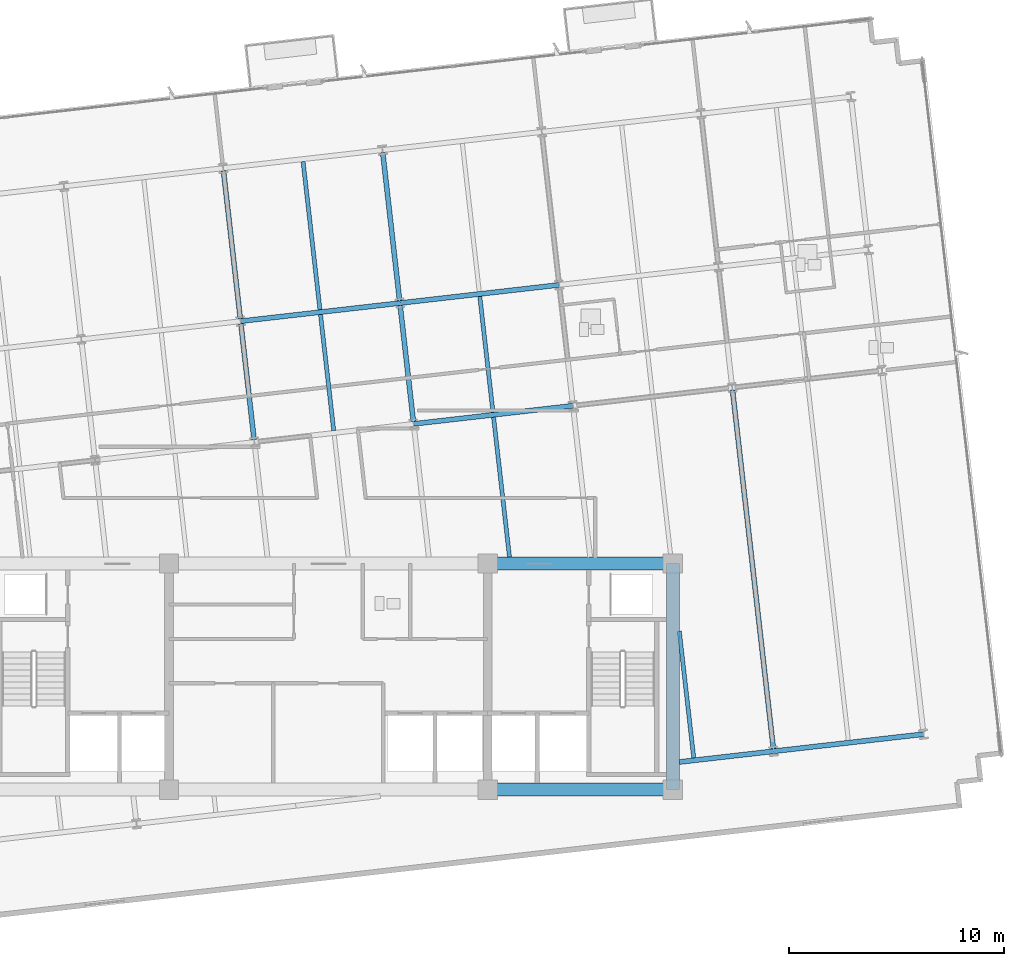
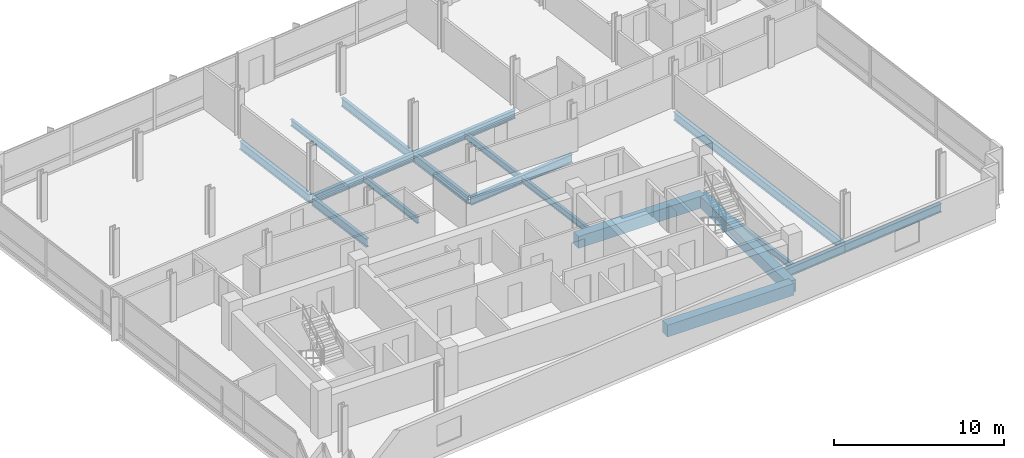
# One storey, part 3 of 14: 18 beams.
"""IFC4 building model written with IfcOpenShell, lengths in metres."""

from ifc_helpers import new_model, si_unit, direction, frame, origin, origin_2d, place, context, subcontext, project, spatial, rectangle, i_section, extrude, material, material_profile, profile_set, type_object, element, save


model = new_model("IFC4")

# Units and contexts
model_context = context("Model", 3, precision=1e-05, world=origin(), true_north=direction((0.0, 1.0)))
body_context = subcontext(model_context, "Body", "Model", "MODEL_VIEW")
ifc_project = project(units=[si_unit("LENGTHUNIT", "METRE"), si_unit("AREAUNIT", "SQUARE_METRE"), si_unit("VOLUMEUNIT", "CUBIC_METRE"), si_unit("PLANEANGLEUNIT", "RADIAN"), si_unit("MASSUNIT", "GRAM", prefix="KILO")], contexts=[model_context])

# Site, building, storey
site_placement = place(None, origin())
site = spatial("IfcSite", under=ifc_project, at=site_placement, CompositionType="ELEMENT")
building_placement = place(site_placement, origin())
building = spatial("IfcBuilding", under=site, at=building_placement, Name="Solmavex Isthmus Hotel", CompositionType="ELEMENT")
storey_placement = place(building_placement, frame((0.0, 0.0, 236.550048828125)))
storey = spatial("IfcBuildingStorey", under=building, at=storey_placement, Name="L64", CompositionType="ELEMENT", Elevation=236.550048828125)

# Beams
ifc_material_1 = material(Name="Steel ASTM A992 Grade 50", Category="steel")
ifc_material_profile_1 = material_profile(ifc_material_1, i_section(OverallWidth=0.1904296875, OverallDepth=0.456787109375, WebThickness=0.009033203125, FlangeThickness=0.014404296875, FilletRadius=0.0126953125, at=origin_2d()), Name="W18X50")
ifc_profile_set_1 = profile_set([ifc_material_profile_1], Name="Steel ASTM A992 Grade 50")
beam_type_1 = type_object("IfcBeamType", Name="BM-BJ-W18X50", PredefinedType="JOIST", material=ifc_profile_set_1)
beam_1_placement = place(storey_placement, frame((0.250244140625, 3.67822265625, -0.488525390625), z_axis=(-0.113194691868, 0.993572826587, 0.0), x_axis=(-0.993572826587, -0.113194691868, 0.0)))
element("IfcBeam", 1, at=beam_1_placement, inside=storey, type_object=beam_type_1, Name="Secondary Floor Joist L64-J10", PredefinedType="JOIST", context=body_context, shape_type="SweptSolid", body=[
    extrude(i_section(OverallWidth=0.1904296875, OverallDepth=0.456787109375, WebThickness=0.009033203125, FlangeThickness=0.014404296875, FilletRadius=0.0126953125, at=origin_2d()), origin(), (0.0, 0.0, 1.0), 5.420166015625),
])
beam_2_placement = place(storey_placement, frame((-0.38916015625, 9.289794921875, -0.488525390625), z_axis=(-0.113202453846, 0.993571942258, 0.0), x_axis=(-0.993571942258, -0.113202453846, 0.0)))
element("IfcBeam", 2, at=beam_2_placement, inside=storey, type_object=beam_type_1, Name="Secondary Floor Joist L64-J11", PredefinedType="JOIST", context=body_context, shape_type="SweptSolid", body=[
    extrude(i_section(OverallWidth=0.1904296875, OverallDepth=0.456787109375, WebThickness=0.009033203125, FlangeThickness=0.014404296875, FilletRadius=0.0126953125, at=origin_2d()), origin(), (0.0, 0.0, 1.0), 6.9228515625),
])
beam_3_placement = place(storey_placement, frame((8.414306640625, -2.199951171875, -0.488525390625), z_axis=(-0.113206345873, 0.993571498813, 0.0), x_axis=(-0.993571498813, -0.113206345873, 0.0)))
element("IfcBeam", 3, at=beam_3_placement, inside=storey, type_object=beam_type_1, Name="Secondary Floor Joist L64-J12", PredefinedType="JOIST", context=body_context, shape_type="SweptSolid", body=[
    extrude(i_section(OverallWidth=0.1904296875, OverallDepth=0.456787109375, WebThickness=0.009033203125, FlangeThickness=0.014404296875, FilletRadius=0.0126953125, at=origin_2d()), origin(), (0.0, 0.0, 1.0), 6.53662109375),
])
beam_4_placement = place(storey_placement, frame((7.6484375, 4.521240234375, -0.488525390625), z_axis=(-0.113194691868, 0.993572826587, 0.0), x_axis=(-0.993572826587, -0.113194691868, 0.0)))
element("IfcBeam", 4, at=beam_4_placement, inside=storey, type_object=beam_type_1, Name="Secondary Floor Joist L64-J13", PredefinedType="JOIST", context=body_context, shape_type="SweptSolid", body=[
    extrude(i_section(OverallWidth=0.1904296875, OverallDepth=0.456787109375, WebThickness=0.009033203125, FlangeThickness=0.014404296875, FilletRadius=0.0126953125, at=origin_2d()), origin(), (0.0, 0.0, 1.0), 5.420166015625),
])
beam_5_placement = place(storey_placement, frame((16.970947265625, -11.525390625, -0.488525390625), z_axis=(-0.113202687678, 0.993571915617, 0.0), x_axis=(-0.993571915617, -0.113202687678, 0.0)))
element("IfcBeam", 5, at=beam_5_placement, inside=storey, type_object=beam_type_1, Name="Secondary Floor Joist L64-J15", PredefinedType="JOIST", context=body_context, shape_type="SweptSolid", body=[
    extrude(i_section(OverallWidth=0.1904296875, OverallDepth=0.456787109375, WebThickness=0.009033203125, FlangeThickness=0.014404296875, FilletRadius=0.0126953125, at=origin_2d()), origin(), (0.0, 0.0, 1.0), 5.926513671875),
])
ifc_material_profile_2 = material_profile(ifc_material_1, i_section(OverallWidth=0.227783203125, OverallDepth=0.602783203125, WebThickness=0.010498046875, FlangeThickness=0.014892578125, FilletRadius=0.01513671875, at=origin_2d()), Name="W24X68")
ifc_profile_set_2 = profile_set([ifc_material_profile_2], Name="Steel ASTM A992 Grade 50")
beam_type_2 = type_object("IfcBeamType", Name="BM-BM-W24X68", PredefinedType="BEAM", material=ifc_profile_set_2)
for number, where, z_axis, x_axis, name in (
    (6, (3.962158203125, 3.986572265625, -0.561279296875), (0.993574034044, 0.113184092846, 0.0), (-0.113184092846, 0.993574034044, 0.0), "Floor Girder L64-UG09"),
    (7, (-4.0751953125, 8.75537109375, -0.561279296875), (0.993574034044, 0.113184092846, 0.0), (-0.113184092846, 0.993574034044, 0.0), "Floor Girder L64-UG14"),
):
    element("IfcBeam", number, at=place(storey_placement, frame(where, z_axis=z_axis, x_axis=x_axis)), inside=storey, type_object=beam_type_2, Name=name, PredefinedType="BEAM", context=body_context, shape_type="SweptSolid", body=[
        extrude(i_section(OverallWidth=0.227783203125, OverallDepth=0.602783203125, WebThickness=0.010498046875, FlangeThickness=0.014892578125, FilletRadius=0.01513671875, at=origin_2d()), origin(), (0.0, 0.0, 1.0), 7.446044921875),
    ])
beam_6_placement = place(storey_placement, frame((3.322998046875, 9.59814453125, -0.561279296875), z_axis=(0.993569926006, 0.113220148984, 0.0), x_axis=(-0.113220148984, 0.993569926006, 0.0)))
element("IfcBeam", 8, at=beam_6_placement, inside=storey, type_object=beam_type_2, Name="Floor Girder L64-UG15", PredefinedType="BEAM", context=body_context, shape_type="SweptSolid", body=[
    extrude(i_section(OverallWidth=0.227783203125, OverallDepth=0.602783203125, WebThickness=0.010498046875, FlangeThickness=0.014892578125, FilletRadius=0.01513671875, at=origin_2d()), origin(), (0.0, 0.0, 1.0), 7.44580078125),
])
beam_7_placement = place(storey_placement, frame((-3.44873046875, 3.2568359375, -0.561279296875), z_axis=(-0.113194691868, 0.993572826587, 0.0), x_axis=(-0.993572826587, -0.113194691868, 0.0)))
element("IfcBeam", 9, at=beam_7_placement, inside=storey, type_object=beam_type_2, Name="Floor Beam L64-VG32", PredefinedType="BEAM", context=body_context, shape_type="SweptSolid", body=[
    extrude(i_section(OverallWidth=0.227783203125, OverallDepth=0.602783203125, WebThickness=0.010498046875, FlangeThickness=0.014892578125, FilletRadius=0.01513671875, at=origin_2d()), origin(), (0.0, 0.0, 1.0), 5.420166015625),
])
beam_8_placement = place(storey_placement, frame((-4.088134765625, 8.868408203125, -0.561279296875), z_axis=(-0.113202453846, 0.993571942258, 0.0), x_axis=(-0.993571942258, -0.113202453846, 0.0)))
element("IfcBeam", 10, at=beam_8_placement, inside=storey, type_object=beam_type_2, Name="Floor Beam L64-VG33", PredefinedType="BEAM", context=body_context, shape_type="SweptSolid", body=[
    extrude(i_section(OverallWidth=0.227783203125, OverallDepth=0.602783203125, WebThickness=0.010498046875, FlangeThickness=0.014892578125, FilletRadius=0.01513671875, at=origin_2d()), origin(), (0.0, 0.0, 1.0), 6.9228515625),
])
beam_9_placement = place(storey_placement, frame((3.949462890625, 4.099609375, -0.561279296875), z_axis=(-0.113234090386, 0.993568337244, 0.0), x_axis=(-0.993568337244, -0.113234090386, 0.0)))
element("IfcBeam", 11, at=beam_9_placement, inside=storey, type_object=beam_type_2, Name="Floor Beam L64-VG35", PredefinedType="BEAM", context=body_context, shape_type="SweptSolid", body=[
    extrude(i_section(OverallWidth=0.227783203125, OverallDepth=0.602783203125, WebThickness=0.010498046875, FlangeThickness=0.014892578125, FilletRadius=0.01513671875, at=origin_2d()), origin(), (0.0, 0.0, 1.0), 5.42041015625),
])
beam_10_placement = place(storey_placement, frame((3.31005859375, 9.71142578125, -0.561279296875), z_axis=(-0.113202453846, 0.993571942258, 0.0), x_axis=(-0.993571942258, -0.113202453846, 0.0)))
element("IfcBeam", 12, at=beam_10_placement, inside=storey, type_object=beam_type_2, Name="Floor Beam L64-VG36", PredefinedType="BEAM", context=body_context, shape_type="SweptSolid", body=[
    extrude(i_section(OverallWidth=0.227783203125, OverallDepth=0.602783203125, WebThickness=0.010498046875, FlangeThickness=0.014892578125, FilletRadius=0.01513671875, at=origin_2d()), origin(), (0.0, 0.0, 1.0), 6.9228515625),
])
beam_11_placement = place(storey_placement, frame((20.669921875, -11.10400390625, -0.561279296875), z_axis=(-0.113198426291, 0.993572401129, 0.0), x_axis=(-0.993572401129, -0.113198426291, 0.0)))
element("IfcBeam", 13, at=beam_11_placement, inside=storey, type_object=beam_type_2, Name="Floor Beam L64-VG40", PredefinedType="BEAM", context=body_context, shape_type="SweptSolid", body=[
    extrude(i_section(OverallWidth=0.227783203125, OverallDepth=0.602783203125, WebThickness=0.010498046875, FlangeThickness=0.014892578125, FilletRadius=0.01513671875, at=origin_2d()), origin(), (0.0, 0.0, 1.0), 16.77099609375),
])
ifc_material_2 = material(Name="Concrete C50/60", Category="concrete")
ifc_material_profile_3 = material_profile(ifc_material_2, rectangle(XDim=0.60009765625, YDim=0.85009765625, at=origin_2d()), Name="RC600X850")
ifc_profile_set_3 = profile_set([ifc_material_profile_3], Name="Concrete C50/60")
beam_type_3 = type_object("IfcBeamType", Name="BM-CB-600X850", PredefinedType="BEAM", material=ifc_profile_set_3)
for number, where, z_axis, x_axis, name in (
    (14, (7.39990234375, -13.0, -0.68505859375), (1.0, 0.0, 0.0), (0.0, 1.0, 0.0), "Core Coupling Beam L64-CB3"),
    (15, (7.39990234375, -2.5, -0.68505859375), (1.0, 0.0, 0.0), (0.0, 1.0, 0.0), "Core Coupling Beam L64-CB6"),
):
    element("IfcBeam", number, at=place(storey_placement, frame(where, z_axis=z_axis, x_axis=x_axis)), inside=storey, type_object=beam_type_3, Name=name, PredefinedType="BEAM", context=body_context, shape_type="SweptSolid", body=[
        extrude(rectangle(XDim=0.60009765625, YDim=0.85009765625, at=origin_2d()), origin(), (0.0, 0.0, 1.0), 8.60009765625),
    ])
beam_12_placement = place(storey_placement, frame((16.0, -13.0, -0.68505859375), z_axis=(0.0, 1.0, 0.0), x_axis=(-1.0, 0.0, 0.0)))
element("IfcBeam", 16, at=beam_12_placement, inside=storey, type_object=beam_type_3, Name="Core Coupling Beam L64-CB8", PredefinedType="BEAM", context=body_context, shape_type="SweptSolid", body=[
    extrude(rectangle(XDim=0.60009765625, YDim=0.85009765625, at=origin_2d()), origin(), (0.0, 0.0, 1.0), 10.5),
])
ifc_material_profile_4 = material_profile(ifc_material_1, i_section(OverallWidth=0.230224609375, OverallDepth=0.617431640625, WebThickness=0.01318359375, FlangeThickness=0.022216796875, FilletRadius=0.01513671875, at=origin_2d()), Name="W24X94")
ifc_profile_set_4 = profile_set([ifc_material_profile_4], Name="Steel ASTM A992 Grade 50")
beam_type_4 = type_object("IfcBeamType", Name="BM-SP-W24X94", PredefinedType="SPANDREL", material=ifc_profile_set_4)
beam_13_placement = place(storey_placement, frame((16.300048828125, -11.7177734375, -0.56884765625), z_axis=(0.993574880398, 0.113176662976, 0.0), x_axis=(-0.113176662976, 0.993574880398, 0.0)))
element("IfcBeam", 17, at=beam_13_placement, inside=storey, type_object=beam_type_4, Name="Floor Girder L64-UG04", PredefinedType="SPANDREL", context=body_context, shape_type="SweptSolid", body=[
    extrude(i_section(OverallWidth=0.230224609375, OverallDepth=0.617431640625, WebThickness=0.01318359375, FlangeThickness=0.022216796875, FilletRadius=0.01513671875, at=origin_2d()), origin(), (0.0, 0.0, 1.0), 4.411376953125),
])
beam_14_placement = place(storey_placement, frame((20.68310546875, -11.218505859375, -0.56884765625), z_axis=(0.993569675103, 0.113222350774, 0.0), x_axis=(-0.113222350774, 0.993569675103, 0.0)))
element("IfcBeam", 18, at=beam_14_placement, inside=storey, type_object=beam_type_4, Name="Floor Girder L64-UG05", PredefinedType="SPANDREL", context=body_context, shape_type="SweptSolid", body=[
    extrude(i_section(OverallWidth=0.230224609375, OverallDepth=0.617431640625, WebThickness=0.01318359375, FlangeThickness=0.022216796875, FilletRadius=0.01513671875, at=origin_2d()), origin(), (0.0, 0.0, 1.0), 7.008056640625),
])

save(model, "model.ifc")
